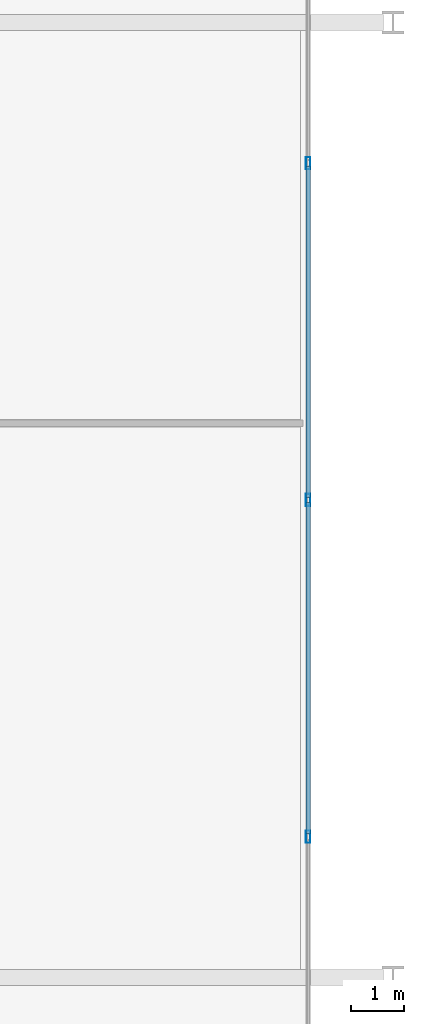
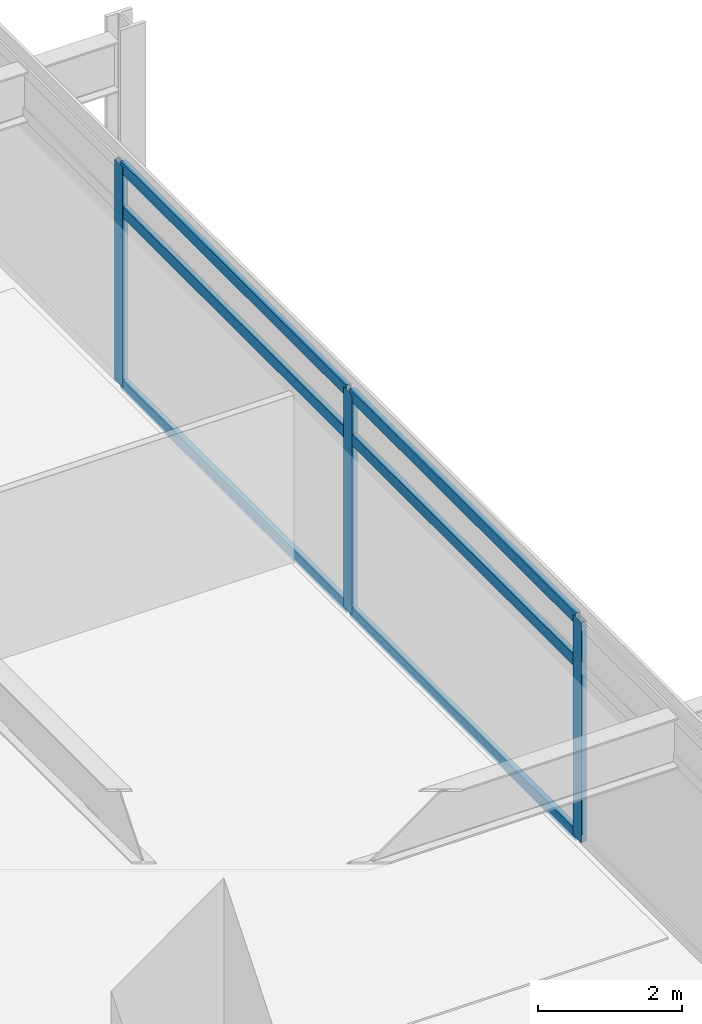
# One storey, part 10 of 25: 9 members, 1 element without a shape of its own.
"""IFC4 building model written with IfcOpenShell, lengths in metres."""

import ifcopenshell
import ifcopenshell.guid

model = None  # the IFC model being written
_history = None  # IfcOwnerHistory: only IFC2X3 demands one
_inside = {}  # id of a spatial element -> (the spatial element, [elements in it])
_under = {}  # id of a project, library or spatial element -> (it, [spatial elements below it])
_declared = {}  # id of a project -> (the project, [libraries it declares])
_typed = {}  # id of a type object -> (the type object, [elements of that type])
_made_of = {}  # id of a material, layer set ... -> (it, [elements and type objects made of it])


def new_model(schema):
    """Start an empty IFC model of exactly this schema.

    Asked for "IFC4X3", IfcOpenShell would pick the latest addendum, in which some entities
    have other attributes; the version numbers below select the first issue.
    IFC2X3 requires an IfcOwnerHistory on every rooted entity: one is made here for all.
    """
    global model, _history
    if schema == "IFC4X3":
        model = ifcopenshell.file(schema_version=(4, 3, 0, 0))
    else:
        model = ifcopenshell.file(schema=schema)
    _inside.clear()
    _under.clear()
    _declared.clear()
    _typed.clear()
    _made_of.clear()
    _history = None
    if model.schema == "IFC2X3":
        org = make("IfcOrganization", Name="unknown")
        user = make(
            "IfcPersonAndOrganization",
            ThePerson=make("IfcPerson", FamilyName="unknown"),
            TheOrganization=org,
        )
        app = make(
            "IfcApplication",
            ApplicationDeveloper=org,
            Version="unknown",
            ApplicationFullName="unknown",
            ApplicationIdentifier="unknown",
        )
        _history = make(
            "IfcOwnerHistory",
            OwningUser=user,
            OwningApplication=app,
            ChangeAction="ADDED",
            CreationDate=0,
        )
    return model


def make(cls, **values):
    """One entity of the class cls with the attributes given. An attribute that is None is left unset."""
    return model.create_entity(
        cls, **{name: value for name, value in values.items() if value is not None}
    )


def rooted(cls, **values):
    """An entity with a GlobalId (a new one), such as an element, a storey or a relation."""
    return make(cls, GlobalId=ifcopenshell.guid.new(), OwnerHistory=_history, **values)


def si_unit(unit_type, name, prefix=None):
    """IfcSIUnit, for example si_unit("LENGTHUNIT", "METRE", prefix="MILLI")."""
    return make("IfcSIUnit", UnitType=unit_type, Prefix=prefix, Name=name)


def assignment(units):
    """IfcUnitAssignment: the units of a project."""
    return None if units is None else make("IfcUnitAssignment", Units=units)


def point(xyz):
    """IfcCartesianPoint."""
    return None if xyz is None else make("IfcCartesianPoint", Coordinates=xyz)


def direction(xyz):
    """IfcDirection."""
    return None if xyz is None else make("IfcDirection", DirectionRatios=xyz)


def frame(location, z_axis=None, x_axis=None):
    """IfcAxis2Placement3D, a coordinate frame: its origin and axes. An axis left out is left unset."""
    return make(
        "IfcAxis2Placement3D",
        Location=point(location),
        Axis=direction(z_axis),
        RefDirection=direction(x_axis),
    )


def frame_2d(location, x_axis=None):
    """IfcAxis2Placement2D, a coordinate frame in the plane: its origin and x axis."""
    return make(
        "IfcAxis2Placement2D", Location=point(location), RefDirection=direction(x_axis)
    )


def origin():
    """The frame at (0, 0, 0) with its axes left unset."""
    return frame((0.0, 0.0, 0.0))


def origin_2d():
    """The frame at (0, 0) in the plane with its x axis left unset."""
    return frame_2d((0.0, 0.0))


def place(relative_to, where):
    """IfcLocalPlacement: puts the frame where relative to a parent placement (None: the world)."""
    return make(
        "IfcLocalPlacement", PlacementRelTo=relative_to, RelativePlacement=where
    )


def context(
    kind, dimensions, precision=None, world=None, true_north=None, identifier=None
):
    """IfcGeometricRepresentationContext, for example the 3D "Model" context."""
    return make(
        "IfcGeometricRepresentationContext",
        ContextIdentifier=identifier,
        ContextType=kind,
        CoordinateSpaceDimension=dimensions,
        Precision=precision,
        WorldCoordinateSystem=world,
        TrueNorth=true_north,
    )


def subcontext(parent, identifier, kind, view, scale=None):
    """IfcGeometricRepresentationSubContext, for example "Body" below "Model"."""
    return make(
        "IfcGeometricRepresentationSubContext",
        ContextIdentifier=identifier,
        ContextType=kind,
        ParentContext=parent,
        TargetScale=scale,
        TargetView=view,
    )


def project(units=None, contexts=None):
    """IfcProject with its units and contexts."""
    return rooted(
        "IfcProject",
        Name="project",
        RepresentationContexts=contexts,
        UnitsInContext=assignment(units),
    )


def spatial(cls, under=None, at=None, **own):
    """A site, building, storey or space (cls), placed at a placement, below another one or the project."""
    s = rooted(cls, ObjectPlacement=at, **own)
    if under is not None:
        _under.setdefault(under.id(), (under, []))[1].append(s)
    return s


def profile(cls, at=None, kind="AREA", **sizes):
    """A parametric profile (cls). Its sizes go by their IFC names, for example OverallWidth=200.0."""
    return make(cls, ProfileType=kind, Position=at, **sizes)


def hollow_rectangle(**sizes):
    """IfcRectangleHollowProfileDef."""
    return profile("IfcRectangleHollowProfileDef", **sizes)


def extrude(swept, where, along, depth):
    """IfcExtrudedAreaSolid: the profile swept, set in the frame where, extruded along a direction by depth."""
    return make(
        "IfcExtrudedAreaSolid",
        SweptArea=swept,
        Position=where,
        ExtrudedDirection=direction(along),
        Depth=depth,
    )


def shape(context_of_items, identifier, shape_type, items):
    """IfcShapeRepresentation: the items that make up one representation, for example the "Body"."""
    return make(
        "IfcShapeRepresentation",
        ContextOfItems=context_of_items,
        RepresentationIdentifier=identifier,
        RepresentationType=shape_type,
        Items=items,
    )


def material(Name=None, Category=None):
    """IfcMaterial."""
    return make("IfcMaterial", Name=Name, Category=Category)


def material_profile(
    of_material, cross_section, Name=None, Category=None, Priority=None
):
    """IfcMaterialProfile: a cross section and its material."""
    return make(
        "IfcMaterialProfile",
        Name=Name,
        Material=of_material,
        Profile=cross_section,
        Priority=Priority,
        Category=Category,
    )


def profile_set(profiles, Name=None, composite=None):
    """IfcMaterialProfileSet."""
    return make(
        "IfcMaterialProfileSet",
        Name=Name,
        MaterialProfiles=profiles,
        CompositeProfile=composite,
    )


def made_of(thing, what):
    """Note that an element or type object is made of a material, layer set ...; save() writes the relation."""
    if what is not None:
        _made_of.setdefault(what.id(), (what, []))[1].append(thing)
    return thing


def type_object(cls, material=None, **own):
    """A type object (cls), such as IfcWallType, which elements share."""
    return made_of(rooted(cls, **own), material)


def element(
    cls,
    number,
    at=None,
    inside=None,
    cuts=None,
    type_object=None,
    material=None,
    context=None,
    identifier="Body",
    shape_type=None,
    held_by="IfcProductDefinitionShape",
    body=None,
    shapes=None,
    **own,
):
    """One element of the class cls, such as IfcWall. Its Tag is "e" and its number.

    at: its placement. inside: the storey or other place that contains it. cuts: it is an
    opening in that element (IfcRelVoidsElement). A single representation is given by context,
    identifier, shape_type and body (its items); several are given by shapes. held_by: the class
    of the entity that holds the representations. save() writes the other relations.
    """
    e = rooted(cls, Tag="e%d" % number, ObjectPlacement=at, **own)
    if body is not None:
        shapes = [shape(context, identifier, shape_type, body)]
    if shapes is not None:
        e.Representation = make(held_by, Representations=shapes)
    if inside is not None:
        _inside.setdefault(inside.id(), (inside, []))[1].append(e)
    if cuts is not None:
        rooted(
            "IfcRelVoidsElement", RelatingBuildingElement=cuts, RelatedOpeningElement=e
        )
    if type_object is not None:
        _typed.setdefault(type_object.id(), (type_object, []))[1].append(e)
    return made_of(e, material)


def aggregate(whole, parts):
    """IfcRelAggregates: a whole, such as a stair, and the parts it consists of."""
    return rooted("IfcRelAggregates", RelatingObject=whole, RelatedObjects=parts)


def save(model, path):
    """Write the relations noted so far, then the file.

    IfcRelAggregates (storeys below a building ...), IfcRelContainedInSpatialStructure (elements
    in a storey), IfcRelDefinesByType, IfcRelAssociatesMaterial and IfcRelDeclares: one each for
    every whole, place, type object, material and project.
    """
    for whole, parts in _under.values():
        aggregate(whole, parts)
    for where, things in _inside.values():
        rooted(
            "IfcRelContainedInSpatialStructure",
            RelatedElements=things,
            RelatingStructure=where,
        )
    for kind, things in _typed.values():
        rooted("IfcRelDefinesByType", RelatedObjects=things, RelatingType=kind)
    for what, things in _made_of.values():
        rooted("IfcRelAssociatesMaterial", RelatedObjects=things, RelatingMaterial=what)
    for by, libraries in _declared.values():
        rooted("IfcRelDeclares", RelatingContext=by, RelatedDefinitions=libraries)
    model.write(path)


model = new_model("IFC4")

# Units and contexts
model_context = context("Model", 3, precision=1e-05, world=origin(), true_north=direction((0.0, 1.0)))
body_context = subcontext(model_context, "Body", "Model", "MODEL_VIEW")
ifc_project = project(units=[si_unit("LENGTHUNIT", "METRE"), si_unit("AREAUNIT", "SQUARE_METRE"), si_unit("VOLUMEUNIT", "CUBIC_METRE"), si_unit("PLANEANGLEUNIT", "RADIAN"), si_unit("MASSUNIT", "GRAM", prefix="KILO")], contexts=[model_context])

# Site, building, storey
site_placement = place(None, origin())
site = spatial("IfcSite", under=ifc_project, at=site_placement, CompositionType="ELEMENT")
building_placement = place(site_placement, origin())
building = spatial("IfcBuilding", under=site, at=building_placement, Name="Kovane Verandah Tower", CompositionType="ELEMENT")
storey_placement = place(building_placement, frame((0.0, 0.0, 67.60009765625)))
storey = spatial("IfcBuildingStorey", under=building, at=storey_placement, Name="L15", CompositionType="ELEMENT", Elevation=67.60009765625)

# Curtain wall, members
ifc_material_1 = material(Name="Champagne Anodised Aluminium Frame with Low-E Clear Laminated Glass", Category="aluminium")
curtain_wall_type = type_object("IfcCurtainWallType", Name="CW-SYS-02-LOW", PredefinedType="NOTDEFINED", material=ifc_material_1)
curtain_wall_placement = place(storey_placement, origin())
curtain_wall = element("IfcCurtainWall", 1, at=curtain_wall_placement, inside=storey, type_object=curtain_wall_type, Name="L15 E Unitised Curtain Wall", PredefinedType="NOTDEFINED")
ifc_material_2 = material(Name="Champagne Anodised Aluminium 6063-T6", Category="aluminium")
ifc_material_profile_1 = material_profile(ifc_material_2, hollow_rectangle(XDim=0.0849609375, YDim=0.22998046875, WallThickness=0.00390625, at=origin_2d()), Name="AL85x230x4")
ifc_profile_set_1 = profile_set([ifc_material_profile_1], Name="Champagne Anodised Aluminium 6063-T6")
member_type_1 = type_object("IfcMemberType", Name="CW-MUL-85x230", PredefinedType="MULLION", material=ifc_profile_set_1)
member_1_placement = place(storey_placement, frame((66.001220703125, 21.153076171875, 0.02001953125), z_axis=(0.0, 0.0, 1.0), x_axis=(1.0, 0.0, 0.0)))
member_1 = element("IfcMember", 2, at=member_1_placement, type_object=member_type_1, Name="L15 E Unitised Curtain Wall Mullion 3", PredefinedType="MULLION", context=body_context, shape_type="SweptSolid", body=[
    extrude(hollow_rectangle(XDim=0.0849609375, YDim=0.22998046875, WallThickness=0.00390625, at=origin_2d()), origin(), (0.0, 0.0, 1.0), 3.719970703125),
])
member_2_placement = place(storey_placement, frame((66.001220703125, 27.5, 0.02001953125), z_axis=(0.0, 0.0, 1.0), x_axis=(1.0, 0.0, 0.0)))
member_2 = element("IfcMember", 3, at=member_2_placement, type_object=member_type_1, Name="L15 E Unitised Curtain Wall Mullion 4", PredefinedType="MULLION", context=body_context, shape_type="SweptSolid", body=[
    extrude(hollow_rectangle(XDim=0.0849609375, YDim=0.22998046875, WallThickness=0.00390625, at=origin_2d()), origin(), (0.0, 0.0, 1.0), 3.719970703125),
])
member_3_placement = place(storey_placement, frame((66.001220703125, 33.846923828125, 0.02001953125), z_axis=(0.0, 0.0, 1.0), x_axis=(1.0, 0.0, 0.0)))
member_3 = element("IfcMember", 4, at=member_3_placement, type_object=member_type_1, Name="L15 E Unitised Curtain Wall Mullion 5", PredefinedType="MULLION", context=body_context, shape_type="SweptSolid", body=[
    extrude(hollow_rectangle(XDim=0.0849609375, YDim=0.22998046875, WallThickness=0.00390625, at=origin_2d()), origin(), (0.0, 0.0, 1.0), 3.719970703125),
])
ifc_material_profile_2 = material_profile(ifc_material_2, hollow_rectangle(XDim=0.0849609375, YDim=0.18994140625, WallThickness=0.00390625, at=origin_2d()), Name="AL85x190x4")
ifc_profile_set_2 = profile_set([ifc_material_profile_2], Name="Champagne Anodised Aluminium 6063-T6")
member_type_2 = type_object("IfcMemberType", Name="CW-TRN-85x190", PredefinedType="USERDEFINED", material=ifc_profile_set_2)
member_4_placement = place(storey_placement, frame((66.001220703125, 21.203125, 0.0498046875), z_axis=(0.0, 1.0, 0.0), x_axis=(-1.0, 0.0, 0.0)))
member_4 = element("IfcMember", 5, at=member_4_placement, type_object=member_type_2, Name="L15 E Unitised Curtain Wall Transom TB Bay 3", ObjectType="TRANSOM", PredefinedType="USERDEFINED", context=body_context, shape_type="SweptSolid", body=[
    extrude(hollow_rectangle(XDim=0.0849609375, YDim=0.18994140625, WallThickness=0.00390625, at=origin_2d()), origin(), (0.0, 0.0, 1.0), 6.246826171875),
])
member_5_placement = place(storey_placement, frame((66.001220703125, 21.203125, 2.97998046875), z_axis=(0.0, 1.0, 0.0), x_axis=(-1.0, 0.0, 0.0)))
member_5 = element("IfcMember", 6, at=member_5_placement, type_object=member_type_2, Name="L15 E Unitised Curtain Wall Transom TM Bay 3", ObjectType="TRANSOM", PredefinedType="USERDEFINED", context=body_context, shape_type="SweptSolid", body=[
    extrude(hollow_rectangle(XDim=0.0849609375, YDim=0.18994140625, WallThickness=0.00390625, at=origin_2d()), origin(), (0.0, 0.0, 1.0), 6.246826171875),
])
member_6_placement = place(storey_placement, frame((66.001220703125, 21.203125, 3.7099609375), z_axis=(0.0, 1.0, 0.0), x_axis=(-1.0, 0.0, 0.0)))
member_6 = element("IfcMember", 7, at=member_6_placement, type_object=member_type_2, Name="L15 E Unitised Curtain Wall Transom TT Bay 3", ObjectType="TRANSOM", PredefinedType="USERDEFINED", context=body_context, shape_type="SweptSolid", body=[
    extrude(hollow_rectangle(XDim=0.0849609375, YDim=0.18994140625, WallThickness=0.00390625, at=origin_2d()), origin(), (0.0, 0.0, 1.0), 6.246826171875),
])
member_7_placement = place(storey_placement, frame((66.001220703125, 27.550048828125, 0.0498046875), z_axis=(0.0, 1.0, 0.0), x_axis=(-1.0, 0.0, 0.0)))
member_7 = element("IfcMember", 8, at=member_7_placement, type_object=member_type_2, Name="L15 E Unitised Curtain Wall Transom TB Bay 4", ObjectType="TRANSOM", PredefinedType="USERDEFINED", context=body_context, shape_type="SweptSolid", body=[
    extrude(hollow_rectangle(XDim=0.0849609375, YDim=0.18994140625, WallThickness=0.00390625, at=origin_2d()), origin(), (0.0, 0.0, 1.0), 6.246826171875),
])
member_8_placement = place(storey_placement, frame((66.001220703125, 27.550048828125, 2.97998046875), z_axis=(0.0, 1.0, 0.0), x_axis=(-1.0, 0.0, 0.0)))
member_8 = element("IfcMember", 9, at=member_8_placement, type_object=member_type_2, Name="L15 E Unitised Curtain Wall Transom TM Bay 4", ObjectType="TRANSOM", PredefinedType="USERDEFINED", context=body_context, shape_type="SweptSolid", body=[
    extrude(hollow_rectangle(XDim=0.0849609375, YDim=0.18994140625, WallThickness=0.00390625, at=origin_2d()), origin(), (0.0, 0.0, 1.0), 6.246826171875),
])
member_9_placement = place(storey_placement, frame((66.001220703125, 27.550048828125, 3.7099609375), z_axis=(0.0, 1.0, 0.0), x_axis=(-1.0, 0.0, 0.0)))
member_9 = element("IfcMember", 10, at=member_9_placement, type_object=member_type_2, Name="L15 E Unitised Curtain Wall Transom TT Bay 4", ObjectType="TRANSOM", PredefinedType="USERDEFINED", context=body_context, shape_type="SweptSolid", body=[
    extrude(hollow_rectangle(XDim=0.0849609375, YDim=0.18994140625, WallThickness=0.00390625, at=origin_2d()), origin(), (0.0, 0.0, 1.0), 6.246826171875),
])
aggregate(curtain_wall, [member_1, member_2, member_3, member_4, member_5, member_6, member_7, member_8, member_9])

save(model, "model.ifc")
